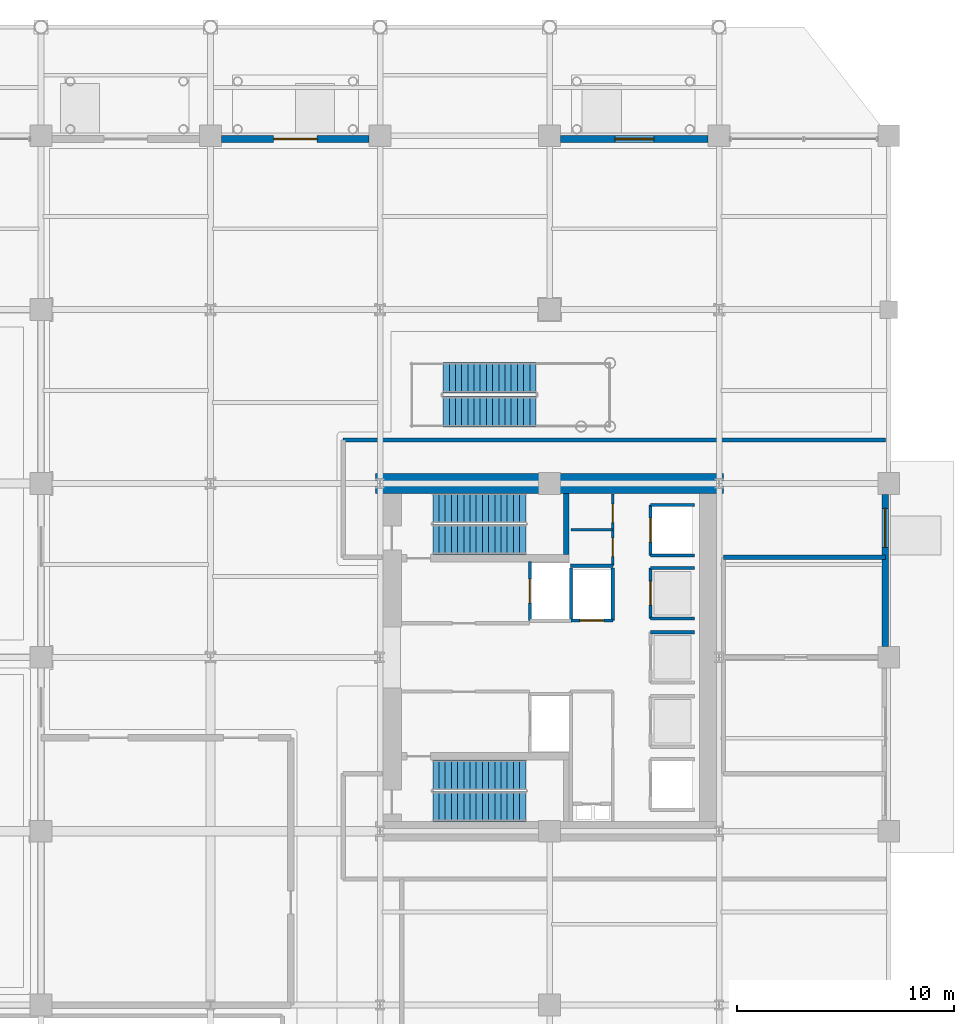
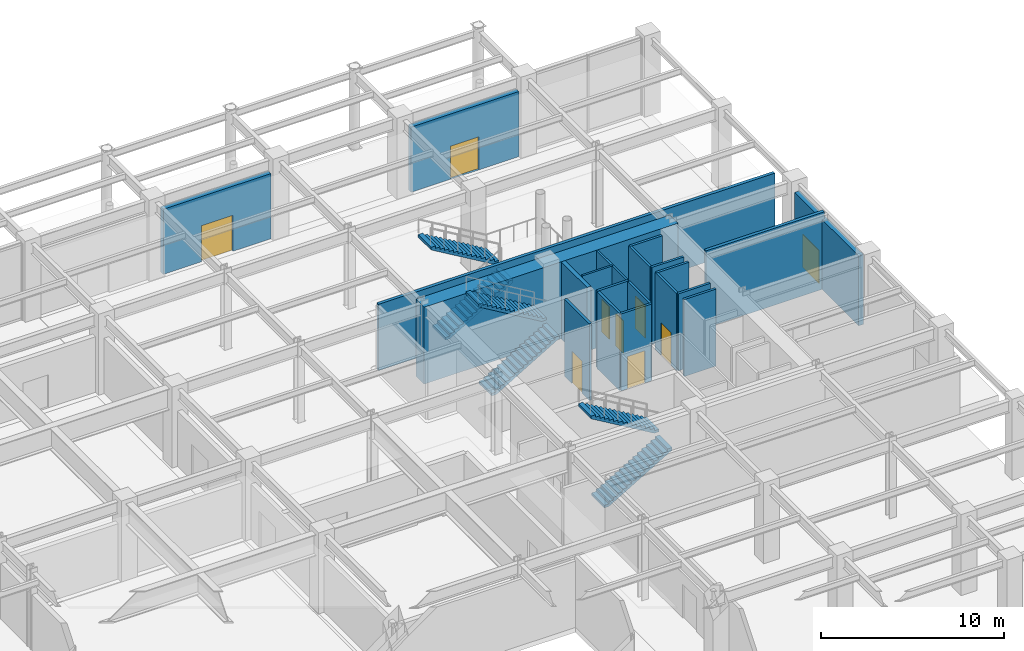
# One storey, part 21 of 27: 21 walls, 9 doors, 6 stair flights, 9 openings, 3 elements without a shape of their own.
"""IFC4 building model written with IfcOpenShell, lengths in metres."""

from ifc_helpers import new_model, si_unit, direction, frame, frame_2d, origin, place, context, subcontext, project, spatial, polyline, rectangle, outline, extrude, material, layer, layer_set, type_object, element, fill, aggregate, save


model = new_model("IFC4")

# Units and contexts
model_context = context("Model", 3, precision=1e-05, world=origin(), true_north=direction((0.0, 1.0)))
body_context = subcontext(model_context, "Body", "Model", "MODEL_VIEW")
ifc_project = project(units=[si_unit("LENGTHUNIT", "METRE"), si_unit("AREAUNIT", "SQUARE_METRE"), si_unit("VOLUMEUNIT", "CUBIC_METRE"), si_unit("PLANEANGLEUNIT", "RADIAN"), si_unit("MASSUNIT", "GRAM", prefix="KILO")], contexts=[model_context])

# Site, building, storey
site_placement = place(None, origin())
site = spatial("IfcSite", under=ifc_project, at=site_placement, CompositionType="ELEMENT")
building_placement = place(site_placement, origin())
building = spatial("IfcBuilding", under=site, at=building_placement, Name="Veymaron Broadcast Tower", CompositionType="ELEMENT")
storey_placement = place(building_placement, origin())
storey = spatial("IfcBuildingStorey", under=building, at=storey_placement, Name="L00", CompositionType="ELEMENT", Elevation=0.0)

# Wall, opening, door
ifc_material_1 = material(Name="Precast concrete C40/50 with mineral-wool insulation", Category="concrete")
ifc_layer_1 = layer(ifc_material_1, 0.300048828125)
ifc_layer_set_1 = layer_set([ifc_layer_1], Name="Precast concrete C40/50 with mineral-wool insulation")
wall_type_1 = type_object("IfcWallType", Name="WALL-EXT-300", PredefinedType="STANDARD", material=ifc_layer_set_1)
wall_1_placement = place(storey_placement, frame((62.25, 24.510009765625, 0.0), z_axis=(0.0, 0.0, 1.0), x_axis=(0.0, 1.0, 0.0)))
wall_1 = element("IfcWall", 1, at=wall_1_placement, inside=storey, type_object=wall_type_1, Name="L00 east exit stair ST1 direct street discharge wall", PredefinedType="STANDARD", context=body_context, shape_type="SweptSolid", body=[
    extrude(rectangle(XDim=6.97998046875, YDim=0.300048828125, at=frame_2d((3.489990234375, 0.0))), origin(), (0.0, 0.0, 1.0), 4.64794921875),
])
opening_1_placement = place(wall_1_placement, frame((4.550048828125, 0.0, 0.0)))
opening_1 = element("IfcOpeningElement", 2, at=opening_1_placement, cuts=wall_1, Name="Opening ED-EX1", PredefinedType="OPENING", context=body_context, shape_type="SweptSolid", body=[
    extrude(rectangle(XDim=1.800048828125, YDim=2.199951171875, at=frame_2d((0.89990234375, 1.10009765625))), frame((0.0, 0.16015625, 0.0), z_axis=(0.0, -1.0, 0.0), x_axis=(1.0, 0.0, 0.0)), (0.0, 0.0, 1.0), 0.320068359375),
])
ifc_material_2 = material(Name="Painted galvanized hollow steel ASTM A653", Category="steel")
door_type_1 = type_object("IfcDoorType", Name="DOOR-EXT-1800", OperationType="DOUBLE_DOOR_SINGLE_SWING", PredefinedType="DOOR", material=ifc_material_2)
door_1_placement = place(opening_1_placement, frame((1.800048828125, 0.0, 0.0), z_axis=(0.0, 0.0, 1.0), x_axis=(-1.0, 0.0, 0.0)))
door_1 = element("IfcDoor", 3, at=door_1_placement, inside=storey, type_object=door_type_1, Name="L00 exit stair ST1 direct street discharge door", OperationType="SINGLE_SWING_LEFT", OverallHeight=2.199951171875, OverallWidth=1.800048828125, PredefinedType="DOOR", context=body_context, shape_type="SweptSolid", body=[
    extrude(rectangle(XDim=1.800048828125, YDim=2.199951171875, at=frame_2d((0.89990234375, 1.10009765625))), frame((0.0, 0.02490234375, 0.0), z_axis=(0.0, -1.0, 0.0), x_axis=(1.0, 0.0, 0.0)), (0.0, 0.0, 1.0), 0.050048828125),
])
fill(opening_1, door_1)

wall_2_placement = place(storey_placement, frame((31.7099609375, 47.85009765625, 0.0), z_axis=(0.0, 0.0, 1.0), x_axis=(1.0, 0.0, 0.0)))
wall_2 = element("IfcWall", 4, at=wall_2_placement, inside=storey, type_object=wall_type_1, Name="L00 north waterfront entrance wall bay 2", PredefinedType="STANDARD", context=body_context, shape_type="SweptSolid", body=[
    extrude(rectangle(XDim=6.780029296875, YDim=0.300048828125, at=frame_2d((3.39013671875, 0.0))), origin(), (0.0, 0.0, 1.0), 4.337890625),
])
opening_2_placement = place(wall_2_placement, frame((2.389892578125, 0.0, 0.0)))
opening_2 = element("IfcOpeningElement", 5, at=opening_2_placement, cuts=wall_2, Name="Opening ED-MN1", PredefinedType="OPENING", context=body_context, shape_type="SweptSolid", body=[
    extrude(rectangle(XDim=2.0, YDim=2.39990234375, at=frame_2d((1.0, 1.199951171875))), frame((0.0, 0.16015625, 0.0), z_axis=(0.0, -1.0, 0.0), x_axis=(1.0, 0.0, 0.0)), (0.0, 0.0, 1.0), 0.320068359375),
])
ifc_material_3 = material(Name="Thermally broken anodised aluminium and laminated safety glass", Category="aluminium")
door_type_2 = type_object("IfcDoorType", Name="DOOR-EXT-2000", OperationType="DOUBLE_DOOR_SINGLE_SWING", PredefinedType="DOOR", material=ifc_material_3)
door_2_placement = place(opening_2_placement, origin())
door_2 = element("IfcDoor", 6, at=door_2_placement, inside=storey, type_object=door_type_2, Name="Waterfront concourse main entrance B", OperationType="SINGLE_SWING_LEFT", OverallHeight=2.39990234375, OverallWidth=2.0, PredefinedType="DOOR", context=body_context, shape_type="SweptSolid", body=[
    extrude(rectangle(XDim=2.0, YDim=2.39990234375, at=frame_2d((1.0, 1.199951171875))), frame((0.0, 0.02490234375, 0.0), z_axis=(0.0, -1.0, 0.0), x_axis=(1.0, 0.0, 0.0)), (0.0, 0.0, 1.0), 0.050048828125),
])
fill(opening_2, door_2)

wall_3_placement = place(storey_placement, frame((47.31005859375, 47.85009765625, 0.0), z_axis=(0.0, 0.0, 1.0), x_axis=(1.0, 0.0, 0.0)))
wall_3 = element("IfcWall", 7, at=wall_3_placement, inside=storey, type_object=wall_type_1, Name="L00 north waterfront entrance wall bay 3", PredefinedType="STANDARD", context=body_context, shape_type="SweptSolid", body=[
    extrude(rectangle(XDim=6.780029296875, YDim=0.300048828125, at=frame_2d((3.39013671875, 0.0))), origin(), (0.0, 0.0, 1.0), 4.337890625),
])
opening_3_placement = place(wall_3_placement, frame((2.489990234375, 0.0, 0.0)))
opening_3 = element("IfcOpeningElement", 8, at=opening_3_placement, cuts=wall_3, Name="Opening ED-EX1", PredefinedType="OPENING", context=body_context, shape_type="SweptSolid", body=[
    extrude(rectangle(XDim=1.800048828125, YDim=2.199951171875, at=frame_2d((0.89990234375, 1.10009765625))), frame((0.0, 0.16015625, 0.0), z_axis=(0.0, -1.0, 0.0), x_axis=(1.0, 0.0, 0.0)), (0.0, 0.0, 1.0), 0.320068359375),
])
door_3_placement = place(opening_3_placement, origin())
door_3 = element("IfcDoor", 9, at=door_3_placement, inside=storey, type_object=door_type_1, Name="East stair discharge final exit door", OperationType="SINGLE_SWING_LEFT", OverallHeight=2.199951171875, OverallWidth=1.800048828125, PredefinedType="DOOR", context=body_context, shape_type="SweptSolid", body=[
    extrude(rectangle(XDim=1.800048828125, YDim=2.199951171875, at=frame_2d((0.89990234375, 1.10009765625))), frame((0.0, 0.02490234375, 0.0), z_axis=(0.0, -1.0, 0.0), x_axis=(1.0, 0.0, 0.0)), (0.0, 0.0, 1.0), 0.050048828125),
])
fill(opening_3, door_3)

ifc_material_4 = material(Name="Gypsum fireboard and steel stud framing", Category="steel")
ifc_layer_2 = layer(ifc_material_4, 0.14990234375)
ifc_layer_set_2 = layer_set([ifc_layer_2], Name="Gypsum fireboard and steel stud framing")
wall_type_2 = type_object("IfcWallType", Name="WALL-FIRE-150", PredefinedType="PARTITIONING", material=ifc_layer_set_2)
wall_4_placement = place(storey_placement, frame((45.89501953125, 25.68994140625, 0.0), z_axis=(0.0, 0.0, 1.0), x_axis=(0.0, 1.0, 0.0)))
wall_4 = element("IfcWall", 10, at=wall_4_placement, inside=storey, type_object=wall_type_2, Name="L00 partition IW-L00-SHW-FFL-1", PredefinedType="PARTITIONING", context=body_context, shape_type="SweptSolid", body=[
    extrude(rectangle(XDim=2.719970703125, YDim=0.14990234375, at=frame_2d((1.35986328125, 0.0))), origin(), (0.0, 0.0, 1.0), 5.1201171875),
])
opening_4_placement = place(wall_4_placement, frame((0.81005859375, 0.0, 0.0)))
opening_4 = element("IfcOpeningElement", 11, at=opening_4_placement, cuts=wall_4, Name="Opening LD", PredefinedType="OPENING", context=body_context, shape_type="SweptSolid", body=[
    extrude(rectangle(XDim=1.10009765625, YDim=2.14990234375, at=frame_2d((0.550048828125, 1.074951171875))), frame((0.0, 0.0849609375, 0.0), z_axis=(0.0, -1.0, 0.0), x_axis=(1.0, 0.0, 0.0)), (0.0, 0.0, 1.0), 0.169921875),
])
ifc_material_5 = material(Name="Brushed stainless steel AISI 304", Category="steel")
door_type_3 = type_object("IfcDoorType", Name="DOOR-LIFT-1100", OperationType="DOUBLE_DOOR_SLIDING", PredefinedType="DOOR", material=ifc_material_5)
door_4_placement = place(opening_4_placement, frame((1.10009765625, 0.0, 0.0), z_axis=(0.0, 0.0, 1.0), x_axis=(-1.0, 0.0, 0.0)))
door_4 = element("IfcDoor", 12, at=door_4_placement, inside=storey, type_object=door_type_3, Name="L00 door LD-L00-FFL-1", OperationType="DOUBLE_DOOR_SLIDING", OverallHeight=2.14990234375, OverallWidth=1.10009765625, PredefinedType="DOOR", context=body_context, shape_type="SweptSolid", body=[
    extrude(rectangle(XDim=1.10009765625, YDim=2.14990234375, at=frame_2d((0.550048828125, 1.074951171875))), frame((0.0, 0.02490234375, 0.0), z_axis=(0.0, -1.0, 0.0), x_axis=(1.0, 0.0, 0.0)), (0.0, 0.0, 1.0), 0.050048828125),
])
fill(opening_4, door_4)

wall_5_placement = place(storey_placement, frame((47.7900390625, 25.695068359375, 0.0), z_axis=(0.0, 0.0, 1.0), x_axis=(1.0, 0.0, 0.0)))
wall_5 = element("IfcWall", 13, at=wall_5_placement, inside=storey, type_object=wall_type_2, Name="L00 partition IW-L00-SHS-SL-1", PredefinedType="PARTITIONING", context=body_context, shape_type="SweptSolid", body=[
    extrude(rectangle(XDim=1.919921875, YDim=0.14990234375, at=frame_2d((0.9599609375, 0.0))), origin(), (0.0, 0.0, 1.0), 5.1201171875),
])
opening_5_placement = place(wall_5_placement, frame((0.409912109375, 0.0, 0.0)))
opening_5 = element("IfcOpeningElement", 14, at=opening_5_placement, cuts=wall_5, Name="Opening LD", PredefinedType="OPENING", context=body_context, shape_type="SweptSolid", body=[
    extrude(rectangle(XDim=1.10009765625, YDim=2.14990234375, at=frame_2d((0.550048828125, 1.074951171875))), frame((0.0, 0.0849609375, 0.0), z_axis=(0.0, -1.0, 0.0), x_axis=(1.0, 0.0, 0.0)), (0.0, 0.0, 1.0), 0.169921875),
])
door_5_placement = place(opening_5_placement, frame((1.10009765625, 0.0, 0.0), z_axis=(0.0, 0.0, 1.0), x_axis=(-1.0, 0.0, 0.0)))
door_5 = element("IfcDoor", 15, at=door_5_placement, inside=storey, type_object=door_type_3, Name="L00 door LD-L00-SL-1", OperationType="DOUBLE_DOOR_SLIDING", OverallHeight=2.14990234375, OverallWidth=1.10009765625, PredefinedType="DOOR", context=body_context, shape_type="SweptSolid", body=[
    extrude(rectangle(XDim=1.10009765625, YDim=2.14990234375, at=frame_2d((0.550048828125, 1.074951171875))), frame((0.0, 0.02490234375, 0.0), z_axis=(0.0, -1.0, 0.0), x_axis=(1.0, 0.0, 0.0)), (0.0, 0.0, 1.0), 0.050048828125),
])
fill(opening_5, door_5)

# Walls
for number, where, z_axis, x_axis, name in (
    (16, (47.7900390625, 25.695068359375, 0.0), (0.0, 0.0, 1.0), (0.0, 1.0, 0.0), "L00 partition IW-L00-SHW-SL-1"),
    (17, (49.7099609375, 25.695068359375, 0.0), (0.0, 0.0, 1.0), (0.0, 1.0, 0.0), "L00 partition IW-L00-SHE-SL-1"),
):
    element("IfcWall", number, at=place(storey_placement, frame(where, z_axis=z_axis, x_axis=x_axis)), inside=storey, type_object=wall_type_2, Name=name, PredefinedType="PARTITIONING", context=body_context, shape_type="SweptSolid", body=[
        extrude(rectangle(XDim=2.4150390625, YDim=0.14990234375, at=frame_2d((1.20751953125, 0.0))), origin(), (0.0, 0.0, 1.0), 5.1201171875),
    ])

# Wall, opening, door
wall_6_placement = place(storey_placement, frame((51.445068359375, 28.68994140625, 0.0), z_axis=(0.0, 0.0, 1.0), x_axis=(0.0, 1.0, 0.0)))
wall_6 = element("IfcWall", 18, at=wall_6_placement, inside=storey, type_object=wall_type_2, Name="L00 partition IW-L00-SHW-PL1", PredefinedType="PARTITIONING", context=body_context, shape_type="SweptSolid", body=[
    extrude(rectangle(XDim=2.320068359375, YDim=0.14990234375, at=frame_2d((1.16015625, 0.0))), origin(), (0.0, 0.0, 1.0), 5.1201171875),
])
opening_6_placement = place(wall_6_placement, frame((0.610107421875, 0.0, 0.0)))
opening_6 = element("IfcOpeningElement", 19, at=opening_6_placement, cuts=wall_6, Name="Opening LD", PredefinedType="OPENING", context=body_context, shape_type="SweptSolid", body=[
    extrude(rectangle(XDim=1.10009765625, YDim=2.14990234375, at=frame_2d((0.550048828125, 1.074951171875))), frame((0.0, 0.0849609375, 0.0), z_axis=(0.0, -1.0, 0.0), x_axis=(1.0, 0.0, 0.0)), (0.0, 0.0, 1.0), 0.169921875),
])
door_6_placement = place(opening_6_placement, frame((1.10009765625, 0.0, 0.0), z_axis=(0.0, 0.0, 1.0), x_axis=(-1.0, 0.0, 0.0)))
door_6 = element("IfcDoor", 20, at=door_6_placement, inside=storey, type_object=door_type_3, Name="L00 door LD-L00-PL1", OperationType="DOUBLE_DOOR_SLIDING", OverallHeight=2.14990234375, OverallWidth=1.10009765625, PredefinedType="DOOR", context=body_context, shape_type="SweptSolid", body=[
    extrude(rectangle(XDim=1.10009765625, YDim=2.14990234375, at=frame_2d((0.550048828125, 1.074951171875))), frame((0.0, 0.02490234375, 0.0), z_axis=(0.0, -1.0, 0.0), x_axis=(1.0, 0.0, 0.0)), (0.0, 0.0, 1.0), 0.050048828125),
])
fill(opening_6, door_6)

# Walls
for number, where, z_axis, x_axis, name in (
    (21, (51.445068359375, 28.68994140625, 0.0), (0.0, 0.0, 1.0), (1.0, 0.0, 0.0), "L00 partition IW-L00-SHS-PL1"),
    (22, (51.445068359375, 31.010009765625, 0.0), (0.0, 0.0, 1.0), (1.0, 0.0, 0.0), "L00 partition IW-L00-SHN-PL1"),
):
    element("IfcWall", number, at=place(storey_placement, frame(where, z_axis=z_axis, x_axis=x_axis)), inside=storey, type_object=wall_type_2, Name=name, PredefinedType="PARTITIONING", context=body_context, shape_type="SweptSolid", body=[
        extrude(rectangle(XDim=2.014892578125, YDim=0.14990234375, at=frame_2d((1.00732421875, 0.0))), origin(), (0.0, 0.0, 1.0), 5.1201171875),
    ])

# Wall, opening, door
wall_7_placement = place(storey_placement, frame((51.445068359375, 25.7900390625, 0.0), z_axis=(0.0, 0.0, 1.0), x_axis=(0.0, 1.0, 0.0)))
wall_7 = element("IfcWall", 23, at=wall_7_placement, inside=storey, type_object=wall_type_2, Name="L00 partition IW-L00-SHW-PM1", PredefinedType="PARTITIONING", context=body_context, shape_type="SweptSolid", body=[
    extrude(rectangle(XDim=2.320068359375, YDim=0.14990234375, at=frame_2d((1.16015625, 0.0))), origin(), (0.0, 0.0, 1.0), 5.1201171875),
])
opening_7_placement = place(wall_7_placement, frame((0.610107421875, 0.0, 0.0)))
opening_7 = element("IfcOpeningElement", 24, at=opening_7_placement, cuts=wall_7, Name="Opening LD", PredefinedType="OPENING", context=body_context, shape_type="SweptSolid", body=[
    extrude(rectangle(XDim=1.10009765625, YDim=2.14990234375, at=frame_2d((0.550048828125, 1.074951171875))), frame((0.0, 0.0849609375, 0.0), z_axis=(0.0, -1.0, 0.0), x_axis=(1.0, 0.0, 0.0)), (0.0, 0.0, 1.0), 0.169921875),
])
door_7_placement = place(opening_7_placement, frame((1.10009765625, 0.0, 0.0), z_axis=(0.0, 0.0, 1.0), x_axis=(-1.0, 0.0, 0.0)))
door_7 = element("IfcDoor", 25, at=door_7_placement, inside=storey, type_object=door_type_3, Name="L00 door LD-L00-PM1", OperationType="DOUBLE_DOOR_SLIDING", OverallHeight=2.14990234375, OverallWidth=1.10009765625, PredefinedType="DOOR", context=body_context, shape_type="SweptSolid", body=[
    extrude(rectangle(XDim=1.10009765625, YDim=2.14990234375, at=frame_2d((0.550048828125, 1.074951171875))), frame((0.0, 0.02490234375, 0.0), z_axis=(0.0, -1.0, 0.0), x_axis=(1.0, 0.0, 0.0)), (0.0, 0.0, 1.0), 0.050048828125),
])
fill(opening_7, door_7)

# Walls
for number, where, z_axis, x_axis, name in (
    (26, (51.445068359375, 25.7900390625, 0.0), (0.0, 0.0, 1.0), (1.0, 0.0, 0.0), "L00 partition IW-L00-SHS-PM1"),
    (27, (51.445068359375, 28.110107421875, 0.0), (0.0, 0.0, 1.0), (1.0, 0.0, 0.0), "L00 partition IW-L00-SHN-PM1"),
    (28, (51.445068359375, 25.159912109375, 0.0), (0.0, 0.0, 1.0), (1.0, 0.0, 0.0), "L00 partition IW-L00-SHN-PM3"),
):
    element("IfcWall", number, at=place(storey_placement, frame(where, z_axis=z_axis, x_axis=x_axis)), inside=storey, type_object=wall_type_2, Name=name, PredefinedType="PARTITIONING", context=body_context, shape_type="SweptSolid", body=[
        extrude(rectangle(XDim=2.014892578125, YDim=0.14990234375, at=frame_2d((1.00732421875, 0.0))), origin(), (0.0, 0.0, 1.0), 5.1201171875),
    ])
wall_8_placement = place(storey_placement, frame((47.760009765625, 28.219970703125, 0.0), z_axis=(0.0, 0.0, 1.0), x_axis=(1.0, 0.0, 0.0)))
element("IfcWall", 29, at=wall_8_placement, inside=storey, type_object=wall_type_2, Name="L00 partition IW-L00-NM-S", PredefinedType="PARTITIONING", context=body_context, shape_type="SweptSolid", body=[
    extrude(rectangle(XDim=1.9599609375, YDim=0.14990234375, at=frame_2d((0.97998046875, 0.0))), origin(), (0.0, 0.0, 1.0), 5.1201171875),
])
ifc_material_6 = material(Name="Concrete C40/50", Category="concrete")
ifc_layer_3 = layer(ifc_material_6, 0.199951171875)
ifc_layer_set_3 = layer_set([ifc_layer_3], Name="Concrete C40/50")
wall_type_3 = type_object("IfcWallType", Name="WALL-FIRE-200", PredefinedType="SOLIDWALL", material=ifc_layer_set_3)
wall_9_placement = place(storey_placement, frame((37.300048828125, 34.0, 0.0), z_axis=(0.0, 0.0, 1.0), x_axis=(1.0, 0.0, 0.0)))
element("IfcWall", 30, at=wall_9_placement, inside=storey, type_object=wall_type_3, Name="L00 partition IW-L00-EX1-N", PredefinedType="SOLIDWALL", context=body_context, shape_type="SweptSolid", body=[
    extrude(rectangle(XDim=24.949951171875, YDim=0.199951171875, at=frame_2d((12.47509765625, 0.0))), origin(), (0.0, 0.0, 1.0), 4.4150390625),
])
wall_10_placement = place(storey_placement, frame((54.800048828125, 28.60009765625, 0.0), z_axis=(0.0, 0.0, 1.0), x_axis=(1.0, 0.0, 0.0)))
element("IfcWall", 31, at=wall_10_placement, inside=storey, type_object=wall_type_3, Name="L00 partition IW-L00-EX1-S", PredefinedType="SOLIDWALL", context=body_context, shape_type="SweptSolid", body=[
    extrude(rectangle(XDim=7.449951171875, YDim=0.199951171875, at=frame_2d((3.72509765625, 0.0))), origin(), (0.0, 0.0, 1.0), 5.1201171875),
])
ifc_material_7 = material(Name="Acoustic gypsum board and galvanized stud", Category="gypsum")
ifc_layer_4 = layer(ifc_material_7, 0.1201171875)
ifc_layer_set_4 = layer_set([ifc_layer_4], Name="Acoustic gypsum board and galvanized stud")
wall_type_4 = type_object("IfcWallType", Name="WALL-PART-120", PredefinedType="PARTITIONING", material=ifc_layer_set_4)
wall_11_placement = place(storey_placement, frame((47.780029296875, 29.8798828125, 0.0), z_axis=(0.0, 0.0, 1.0), x_axis=(1.0, 0.0, 0.0)))
element("IfcWall", 32, at=wall_11_placement, inside=storey, type_object=wall_type_4, Name="L00 partition IW-L00-NM-M", PredefinedType="PARTITIONING", context=body_context, shape_type="SweptSolid", body=[
    extrude(rectangle(XDim=1.919921875, YDim=0.1201171875, at=frame_2d((0.9599609375, 0.0))), origin(), (0.0, 0.0, 1.0), 5.1201171875),
])

# Wall, openings, doors
wall_12_placement = place(storey_placement, frame((49.699951171875, 28.219970703125, 0.0), z_axis=(0.0, 0.0, 1.0), x_axis=(0.0, 1.0, 0.0)))
wall_12 = element("IfcWall", 33, at=wall_12_placement, inside=storey, type_object=wall_type_4, Name="L00 partition IW-L00-NM-E", PredefinedType="PARTITIONING", context=body_context, shape_type="SweptSolid", body=[
    extrude(rectangle(XDim=3.300048828125, YDim=0.1201171875, at=frame_2d((1.64990234375, 0.0))), origin(), (0.0, 0.0, 1.0), 5.1201171875),
])
opening_8_placement = place(wall_12_placement, frame((0.419921875, 0.0, 0.0)))
opening_8 = element("IfcOpeningElement", 34, at=opening_8_placement, cuts=wall_12, Name="Opening ID-WC1", PredefinedType="OPENING", context=body_context, shape_type="SweptSolid", body=[
    extrude(rectangle(XDim=0.85009765625, YDim=2.14990234375, at=frame_2d((0.425048828125, 1.074951171875))), frame((0.0, 0.070068359375, 0.0), z_axis=(0.0, -1.0, 0.0), x_axis=(1.0, 0.0, 0.0)), (0.0, 0.0, 1.0), 0.14013671875),
])
opening_9_placement = place(wall_12_placement, frame((1.97998046875, 0.0, 0.0)))
opening_9 = element("IfcOpeningElement", 35, at=opening_9_placement, cuts=wall_12, Name="Opening ID-WC1", PredefinedType="OPENING", context=body_context, shape_type="SweptSolid", body=[
    extrude(rectangle(XDim=0.85009765625, YDim=2.14990234375, at=frame_2d((0.425048828125, 1.074951171875))), frame((0.0, 0.070068359375, 0.0), z_axis=(0.0, -1.0, 0.0), x_axis=(1.0, 0.0, 0.0)), (0.0, 0.0, 1.0), 0.14013671875),
])
ifc_material_8 = material(Name="Moisture-resistant high-pressure laminate timber", Category="wood")
door_type_4 = type_object("IfcDoorType", Name="DOOR-INT-850", OperationType="NOTDEFINED", PredefinedType="DOOR", material=ifc_material_8)
door_8_placement = place(opening_8_placement, frame((0.85009765625, 0.0, 0.0), z_axis=(0.0, 0.0, 1.0), x_axis=(-1.0, 0.0, 0.0)))
door_8 = element("IfcDoor", 36, at=door_8_placement, inside=storey, type_object=door_type_4, Name="L00 door DR-L00-NMA", OperationType="SINGLE_SWING_LEFT", OverallHeight=2.14990234375, OverallWidth=0.85009765625, PredefinedType="DOOR", context=body_context, shape_type="SweptSolid", body=[
    extrude(rectangle(XDim=0.85009765625, YDim=2.14990234375, at=frame_2d((0.425048828125, 1.074951171875))), frame((0.0, 0.02490234375, 0.0), z_axis=(0.0, -1.0, 0.0), x_axis=(1.0, 0.0, 0.0)), (0.0, 0.0, 1.0), 0.050048828125),
])
fill(opening_8, door_8)
door_9_placement = place(opening_9_placement, frame((0.85009765625, 0.0, 0.0), z_axis=(0.0, 0.0, 1.0), x_axis=(-1.0, 0.0, 0.0)))
door_9 = element("IfcDoor", 37, at=door_9_placement, inside=storey, type_object=door_type_4, Name="L00 door DR-L00-NMB", OperationType="SINGLE_SWING_RIGHT", OverallHeight=2.14990234375, OverallWidth=0.85009765625, PredefinedType="DOOR", context=body_context, shape_type="SweptSolid", body=[
    extrude(rectangle(XDim=0.85009765625, YDim=2.14990234375, at=frame_2d((0.425048828125, 1.074951171875))), frame((0.0, 0.02490234375, 0.0), z_axis=(0.0, -1.0, 0.0), x_axis=(1.0, 0.0, 0.0)), (0.0, 0.0, 1.0), 0.050048828125),
])
fill(opening_9, door_9)

# Walls
ifc_material_9 = material(Name="Concrete C50/60", Category="concrete")
ifc_layer_5 = layer(ifc_material_9, 0.25)
ifc_layer_set_5 = layer_set([ifc_layer_5], Name="Concrete C50/60")
wall_type_5 = type_object("IfcWallType", Name="WALL-SHEAR-250", PredefinedType="SHEAR", material=ifc_layer_set_5)
wall_13_placement = place(storey_placement, frame((47.56494140625, 28.72998046875, 0.0), z_axis=(0.0, 0.0, 1.0), x_axis=(0.0, 1.0, 0.0)))
element("IfcWall", 38, at=wall_13_placement, inside=storey, type_object=wall_type_5, Name="L00 Core Wall north stair east shear", PredefinedType="SHEAR", context=body_context, shape_type="SweptSolid", body=[
    extrude(rectangle(XDim=2.820068359375, YDim=0.25, at=frame_2d((1.41015625, 0.0))), origin(), (0.0, 0.0, 1.0), 5.1201171875),
])
ifc_material_10 = material(Name="Concrete C70/85", Category="concrete")
ifc_layer_6 = layer(ifc_material_10, 0.89990234375)
ifc_layer_set_6 = layer_set([ifc_layer_6], Name="Concrete C70/85")
wall_type_6 = type_object("IfcWallType", Name="WALL-SHEAR-900", PredefinedType="SHEAR", material=ifc_layer_set_6)
wall_14_placement = place(storey_placement, frame((38.800048828125, 32.0, 0.0), z_axis=(0.0, 0.0, 1.0), x_axis=(1.0, 0.0, 0.0)))
element("IfcWall", 39, at=wall_14_placement, inside=storey, type_object=wall_type_6, Name="L00 Core Wall north shear", PredefinedType="SHEAR", context=body_context, shape_type="SweptSolid", body=[
    extrude(rectangle(XDim=16.0, YDim=0.89990234375, at=frame_2d((8.0, 0.0))), origin(), (0.0, 0.0, 1.0), 5.1201171875),
])

# Stair, stair flights
stair_type_1 = type_object("IfcStairType", Name="STAIR-CORE-1", PredefinedType="HALF_TURN_STAIR", material=ifc_material_9)
stair_1_placement = place(storey_placement, origin())
stair_1 = element("IfcStair", 40, at=stair_1_placement, inside=storey, type_object=stair_type_1, Name="L00 North protected dog-leg exit stair ST1", PredefinedType="HALF_TURN_STAIR")
ifc_material_11 = material(Name="Precast concrete C50/60", Category="concrete")
stair_flight_type_1 = type_object("IfcStairFlightType", Name="FLT-CORE-RC", PredefinedType="STRAIGHT", material=ifc_material_11)
stair_flight_1_placement = place(storey_placement, frame((41.429931640625, 29.419921875, 0.0), z_axis=(0.0, 0.0, 1.0), x_axis=(1.0, 0.0, 0.0)))
stair_flight_1 = element("IfcStairFlight", 41, at=stair_flight_1_placement, type_object=stair_flight_type_1, Name="ST1 flight 1", NumberOfRisers=16, NumberOfTreads=15, PredefinedType="STRAIGHT", RiserHeight=0.16875, TreadLength=0.285, context=body_context, shape_type="SweptSolid", body=[
    extrude(outline(polyline([(0.0, 0.0), (0.0, 0.168701171875), (0.284912109375, 0.168701171875), (0.284912109375, 0.33740234375), (0.570068359375, 0.33740234375), (0.570068359375, 0.50634765625), (0.85498046875, 0.50634765625), (0.85498046875, 0.675048828125), (1.139892578125, 0.675048828125), (1.139892578125, 0.84375), (1.425048828125, 0.84375), (1.425048828125, 1.012451171875), (1.7099609375, 1.012451171875), (1.7099609375, 1.18115234375), (1.9951171875, 1.18115234375), (1.9951171875, 1.35009765625), (2.280029296875, 1.35009765625), (2.280029296875, 1.518798828125), (2.56494140625, 1.518798828125), (2.56494140625, 1.6875), (2.85009765625, 1.6875), (2.85009765625, 1.856201171875), (3.135009765625, 1.856201171875), (3.135009765625, 2.02490234375), (3.419921875, 2.02490234375), (3.419921875, 2.19384765625), (3.705078125, 2.19384765625), (3.705078125, 2.362548828125), (3.989990234375, 2.362548828125), (3.989990234375, 2.53125), (4.27490234375, 2.53125), (4.27490234375, 2.699951171875), (4.27490234375, 2.35693359375), (0.294189453125, 0.0), (0.0, 0.0)])), frame((0.0, 0.68994140625, 0.0), z_axis=(0.0, -1.0, 0.0), x_axis=(1.0, 0.0, 0.0)), (0.0, 0.0, 1.0), 1.3798828125),
])
stair_flight_2_placement = place(storey_placement, frame((45.705078125, 30.860107421875, 2.699951171875), z_axis=(0.0, 0.0, 1.0), x_axis=(-1.0, 0.0, 0.0)))
stair_flight_2 = element("IfcStairFlight", 42, at=stair_flight_2_placement, type_object=stair_flight_type_1, Name="ST1 flight 2", NumberOfRisers=16, NumberOfTreads=15, PredefinedType="STRAIGHT", RiserHeight=0.16875, TreadLength=0.285, context=body_context, shape_type="SweptSolid", body=[
    extrude(outline(polyline([(0.0, 0.0), (0.0, 0.168701171875), (0.284912109375, 0.168701171875), (0.284912109375, 0.33740234375), (0.570068359375, 0.33740234375), (0.570068359375, 0.50634765625), (0.85498046875, 0.50634765625), (0.85498046875, 0.675048828125), (1.139892578125, 0.675048828125), (1.139892578125, 0.84375), (1.425048828125, 0.84375), (1.425048828125, 1.012451171875), (1.7099609375, 1.012451171875), (1.7099609375, 1.18115234375), (1.9951171875, 1.18115234375), (1.9951171875, 1.35009765625), (2.280029296875, 1.35009765625), (2.280029296875, 1.518798828125), (2.56494140625, 1.518798828125), (2.56494140625, 1.6875), (2.85009765625, 1.6875), (2.85009765625, 1.856201171875), (3.135009765625, 1.856201171875), (3.135009765625, 2.02490234375), (3.419921875, 2.02490234375), (3.419921875, 2.19384765625), (3.705078125, 2.19384765625), (3.705078125, 2.362548828125), (3.989990234375, 2.362548828125), (3.989990234375, 2.53125), (4.27490234375, 2.53125), (4.27490234375, 2.699951171875), (4.27490234375, 2.35693359375), (0.294189453125, 0.0), (0.0, 0.0)])), frame((0.0, 0.68994140625, 0.0), z_axis=(0.0, -1.0, 0.0), x_axis=(1.0, 0.0, 0.0)), (0.0, 0.0, 1.0), 1.3798828125),
])
aggregate(stair_1, [stair_flight_1, stair_flight_2])

stair_type_2 = type_object("IfcStairType", Name="STAIR-CORE-2", PredefinedType="HALF_TURN_STAIR", material=ifc_material_9)
stair_2_placement = place(storey_placement, origin())
stair_2 = element("IfcStair", 43, at=stair_2_placement, inside=storey, type_object=stair_type_2, Name="L00 South protected dog-leg exit stair ST2", PredefinedType="HALF_TURN_STAIR")
stair_flight_3_placement = place(storey_placement, frame((41.429931640625, 17.139892578125, 0.0), z_axis=(0.0, 0.0, 1.0), x_axis=(1.0, 0.0, 0.0)))
stair_flight_3 = element("IfcStairFlight", 44, at=stair_flight_3_placement, type_object=stair_flight_type_1, Name="ST2 flight 1", NumberOfRisers=16, NumberOfTreads=15, PredefinedType="STRAIGHT", RiserHeight=0.16875, TreadLength=0.285, context=body_context, shape_type="SweptSolid", body=[
    extrude(outline(polyline([(0.0, 0.0), (0.0, 0.168701171875), (0.284912109375, 0.168701171875), (0.284912109375, 0.33740234375), (0.570068359375, 0.33740234375), (0.570068359375, 0.50634765625), (0.85498046875, 0.50634765625), (0.85498046875, 0.675048828125), (1.139892578125, 0.675048828125), (1.139892578125, 0.84375), (1.425048828125, 0.84375), (1.425048828125, 1.012451171875), (1.7099609375, 1.012451171875), (1.7099609375, 1.18115234375), (1.9951171875, 1.18115234375), (1.9951171875, 1.35009765625), (2.280029296875, 1.35009765625), (2.280029296875, 1.518798828125), (2.56494140625, 1.518798828125), (2.56494140625, 1.6875), (2.85009765625, 1.6875), (2.85009765625, 1.856201171875), (3.135009765625, 1.856201171875), (3.135009765625, 2.02490234375), (3.419921875, 2.02490234375), (3.419921875, 2.19384765625), (3.705078125, 2.19384765625), (3.705078125, 2.362548828125), (3.989990234375, 2.362548828125), (3.989990234375, 2.53125), (4.27490234375, 2.53125), (4.27490234375, 2.699951171875), (4.27490234375, 2.35693359375), (0.294189453125, 0.0), (0.0, 0.0)])), frame((0.0, 0.68994140625, 0.0), z_axis=(0.0, -1.0, 0.0), x_axis=(1.0, 0.0, 0.0)), (0.0, 0.0, 1.0), 1.3798828125),
])
stair_flight_4_placement = place(storey_placement, frame((45.705078125, 18.580078125, 2.699951171875), z_axis=(0.0, 0.0, 1.0), x_axis=(-1.0, 0.0, 0.0)))
stair_flight_4 = element("IfcStairFlight", 45, at=stair_flight_4_placement, type_object=stair_flight_type_1, Name="ST2 flight 2", NumberOfRisers=16, NumberOfTreads=15, PredefinedType="STRAIGHT", RiserHeight=0.16875, TreadLength=0.285, context=body_context, shape_type="SweptSolid", body=[
    extrude(outline(polyline([(0.0, 0.0), (0.0, 0.168701171875), (0.284912109375, 0.168701171875), (0.284912109375, 0.33740234375), (0.570068359375, 0.33740234375), (0.570068359375, 0.50634765625), (0.85498046875, 0.50634765625), (0.85498046875, 0.675048828125), (1.139892578125, 0.675048828125), (1.139892578125, 0.84375), (1.425048828125, 0.84375), (1.425048828125, 1.012451171875), (1.7099609375, 1.012451171875), (1.7099609375, 1.18115234375), (1.9951171875, 1.18115234375), (1.9951171875, 1.35009765625), (2.280029296875, 1.35009765625), (2.280029296875, 1.518798828125), (2.56494140625, 1.518798828125), (2.56494140625, 1.6875), (2.85009765625, 1.6875), (2.85009765625, 1.856201171875), (3.135009765625, 1.856201171875), (3.135009765625, 2.02490234375), (3.419921875, 2.02490234375), (3.419921875, 2.19384765625), (3.705078125, 2.19384765625), (3.705078125, 2.362548828125), (3.989990234375, 2.362548828125), (3.989990234375, 2.53125), (4.27490234375, 2.53125), (4.27490234375, 2.699951171875), (4.27490234375, 2.35693359375), (0.294189453125, 0.0), (0.0, 0.0)])), frame((0.0, 0.68994140625, 0.0), z_axis=(0.0, -1.0, 0.0), x_axis=(1.0, 0.0, 0.0)), (0.0, 0.0, 1.0), 1.3798828125),
])
aggregate(stair_2, [stair_flight_3, stair_flight_4])

ifc_material_12 = material(Name="Structural steel ASTM A992 Gr 50", Category="steel")
stair_type_3 = type_object("IfcStairType", Name="STAIR-FEAT-01", PredefinedType="HALF_TURN_STAIR", material=ifc_material_12)
stair_3_placement = place(storey_placement, origin())
stair_3 = element("IfcStair", 46, at=stair_3_placement, inside=storey, type_object=stair_type_3, Name="L00 Waterfront concourse monumental feature stair STF1", PredefinedType="HALF_TURN_STAIR")
stair_flight_type_2 = type_object("IfcStairFlightType", Name="FLT-FEAT-STL", PredefinedType="STRAIGHT", material=ifc_material_12)
stair_flight_5_placement = place(storey_placement, frame((41.89990234375, 35.300048828125, 0.0), z_axis=(0.0, 0.0, 1.0), x_axis=(1.0, 0.0, 0.0)))
stair_flight_5 = element("IfcStairFlight", 47, at=stair_flight_5_placement, type_object=stair_flight_type_2, Name="STF1 flight 1", NumberOfRisers=16, NumberOfTreads=15, PredefinedType="STRAIGHT", RiserHeight=0.16875, TreadLength=0.285, context=body_context, shape_type="SweptSolid", body=[
    extrude(outline(polyline([(0.0, 0.0), (0.0, 0.168701171875), (0.284912109375, 0.168701171875), (0.284912109375, 0.33740234375), (0.570068359375, 0.33740234375), (0.570068359375, 0.50634765625), (0.85498046875, 0.50634765625), (0.85498046875, 0.675048828125), (1.139892578125, 0.675048828125), (1.139892578125, 0.84375), (1.425048828125, 0.84375), (1.425048828125, 1.012451171875), (1.7099609375, 1.012451171875), (1.7099609375, 1.18115234375), (1.9951171875, 1.18115234375), (1.9951171875, 1.35009765625), (2.280029296875, 1.35009765625), (2.280029296875, 1.518798828125), (2.56494140625, 1.518798828125), (2.56494140625, 1.6875), (2.85009765625, 1.6875), (2.85009765625, 1.856201171875), (3.135009765625, 1.856201171875), (3.135009765625, 2.02490234375), (3.419921875, 2.02490234375), (3.419921875, 2.19384765625), (3.705078125, 2.19384765625), (3.705078125, 2.362548828125), (3.989990234375, 2.362548828125), (3.989990234375, 2.53125), (4.27490234375, 2.53125), (4.27490234375, 2.699951171875), (4.27490234375, 2.35693359375), (0.294189453125, 0.0), (0.0, 0.0)])), frame((0.0, 0.699951171875, 0.0), z_axis=(0.0, -1.0, 0.0), x_axis=(1.0, 0.0, 0.0)), (0.0, 0.0, 1.0), 1.39990234375),
])
stair_flight_6_placement = place(storey_placement, frame((46.175048828125, 36.860107421875, 2.699951171875), z_axis=(0.0, 0.0, 1.0), x_axis=(-1.0, 0.0, 0.0)))
stair_flight_6 = element("IfcStairFlight", 48, at=stair_flight_6_placement, type_object=stair_flight_type_2, Name="STF1 flight 2", NumberOfRisers=16, NumberOfTreads=15, PredefinedType="STRAIGHT", RiserHeight=0.16875, TreadLength=0.285, context=body_context, shape_type="SweptSolid", body=[
    extrude(outline(polyline([(0.0, 0.0), (0.0, 0.168701171875), (0.284912109375, 0.168701171875), (0.284912109375, 0.33740234375), (0.570068359375, 0.33740234375), (0.570068359375, 0.50634765625), (0.85498046875, 0.50634765625), (0.85498046875, 0.675048828125), (1.139892578125, 0.675048828125), (1.139892578125, 0.84375), (1.425048828125, 0.84375), (1.425048828125, 1.012451171875), (1.7099609375, 1.012451171875), (1.7099609375, 1.18115234375), (1.9951171875, 1.18115234375), (1.9951171875, 1.35009765625), (2.280029296875, 1.35009765625), (2.280029296875, 1.518798828125), (2.56494140625, 1.518798828125), (2.56494140625, 1.6875), (2.85009765625, 1.6875), (2.85009765625, 1.856201171875), (3.135009765625, 1.856201171875), (3.135009765625, 2.02490234375), (3.419921875, 2.02490234375), (3.419921875, 2.19384765625), (3.705078125, 2.19384765625), (3.705078125, 2.362548828125), (3.989990234375, 2.362548828125), (3.989990234375, 2.53125), (4.27490234375, 2.53125), (4.27490234375, 2.699951171875), (4.27490234375, 2.35693359375), (0.294189453125, 0.0), (0.0, 0.0)])), frame((0.0, 0.699951171875, 0.0), z_axis=(0.0, -1.0, 0.0), x_axis=(1.0, 0.0, 0.0)), (0.0, 0.0, 1.0), 1.39990234375),
])
aggregate(stair_3, [stair_flight_5, stair_flight_6])

save(model, "model.ifc")
